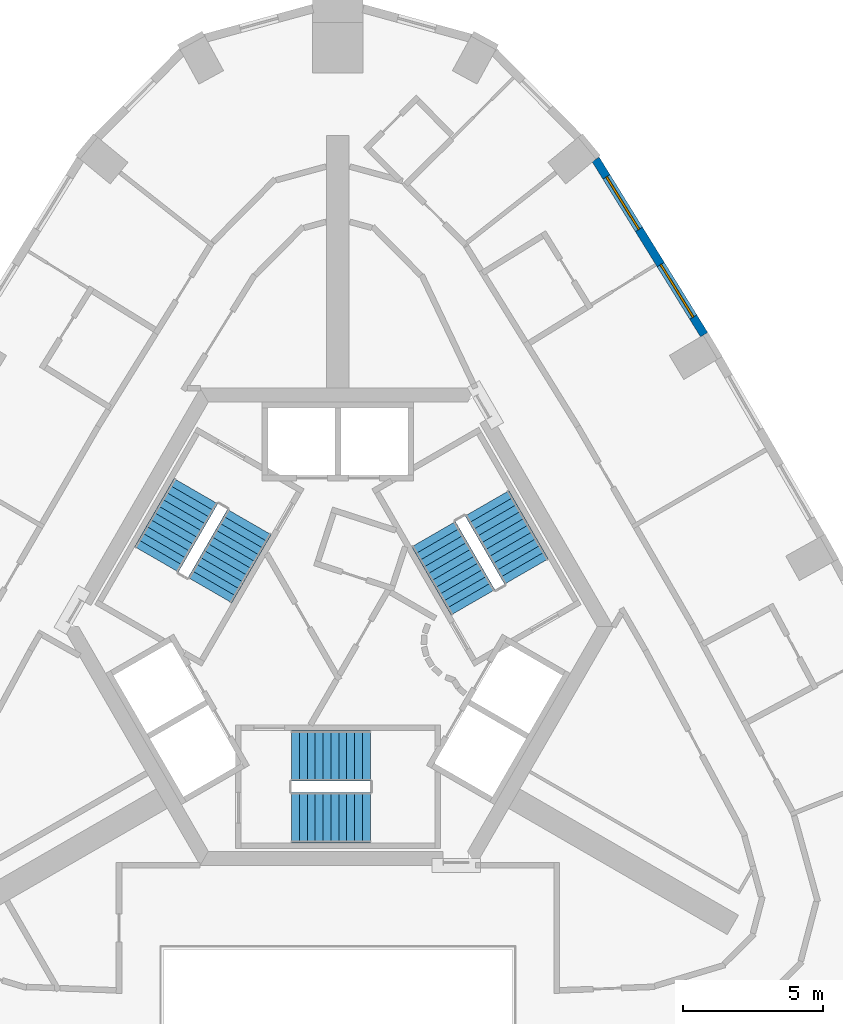
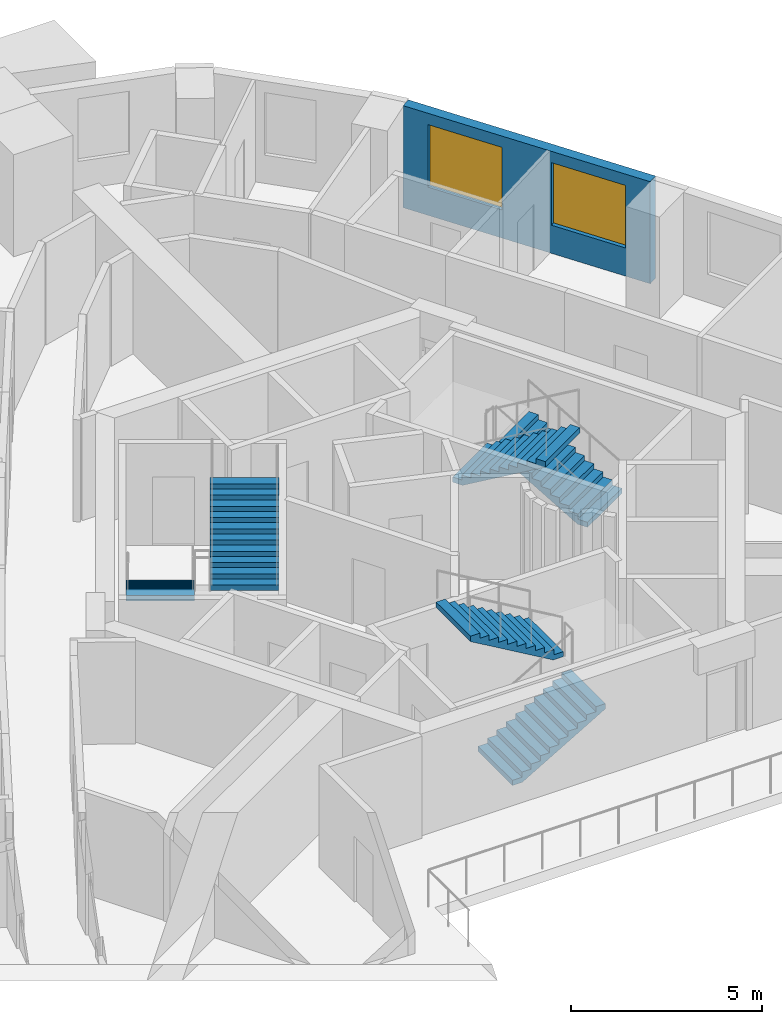
# One storey, part 9 of 11: 6 stair flights, 2 windows, 1 wall, 2 openings, 3 elements without a shape of their own.
"""IFC4 building model written with IfcOpenShell, lengths in metres."""

from ifc_helpers import new_model, si_unit, direction, frame, frame_2d, origin, place, context, subcontext, project, spatial, polyline, rectangle, outline, extrude, material, layer, layer_set, type_object, element, fill, aggregate, save


model = new_model("IFC4")

# Units and contexts
model_context = context("Model", 3, precision=1e-05, world=origin(), true_north=direction((0.0, 1.0)))
body_context = subcontext(model_context, "Body", "Model", "MODEL_VIEW")
ifc_project = project(units=[si_unit("LENGTHUNIT", "METRE"), si_unit("AREAUNIT", "SQUARE_METRE"), si_unit("VOLUMEUNIT", "CUBIC_METRE"), si_unit("PLANEANGLEUNIT", "RADIAN"), si_unit("MASSUNIT", "GRAM", prefix="KILO")], contexts=[model_context])

# Site, building, storey
site_placement = place(None, origin())
site = spatial("IfcSite", under=ifc_project, at=site_placement, CompositionType="ELEMENT")
building_placement = place(site_placement, origin())
building = spatial("IfcBuilding", under=site, at=building_placement, Name="Entoto Arch Interchange Tower", CompositionType="ELEMENT")
storey_placement = place(building_placement, frame((0.0, 0.0, 304.39990234375)))
storey = spatial("IfcBuildingStorey", under=building, at=storey_placement, Name="L71", CompositionType="ELEMENT", Elevation=304.39990234375)

# Wall, openings, windows
ifc_material_1 = material(Name="Welded tuff (ignimbrite) cladding, warm buff", Category="masonry")
ifc_layer = layer(ifc_material_1, 0.300048828125)
ifc_layer_set = layer_set([ifc_layer], Name="Welded tuff (ignimbrite) cladding, warm buff")
wall_type = type_object("IfcWallType", Name="STONE INFILL WALL 300", PredefinedType="STANDARD", material=ifc_layer_set)
wall_placement = place(storey_placement, frame((13.047119140625, 12.906982421875, 0.0), z_axis=(0.0, 0.0, 1.0), x_axis=(-0.526409529565, 0.850231149267, 0.0)))
wall = element("IfcWall", 1, at=wall_placement, inside=storey, type_object=wall_type, Name="Facade wall NE-03 L71", PredefinedType="STANDARD", context=body_context, shape_type="SweptSolid", body=[
    extrude(rectangle(XDim=7.346435546875, YDim=0.300048828125, at=frame_2d((3.67333984375, 0.0))), origin(), (0.0, 0.0, 1.0), 3.260009765625),
])
opening_1_placement = place(wall_placement, frame((0.737060546875, 0.0, 0.89990234375)))
opening_1 = element("IfcOpeningElement", 2, at=opening_1_placement, cuts=wall, Name="Opening WH-A", PredefinedType="OPENING", context=body_context, shape_type="SweptSolid", body=[
    extrude(rectangle(XDim=2.199951171875, YDim=2.0, at=frame_2d((1.10009765625, 1.0))), frame((0.0, 0.16015625, 0.0), z_axis=(0.0, -1.0, 0.0), x_axis=(1.0, 0.0, 0.0)), (0.0, 0.0, 1.0), 0.320068359375),
])
opening_2_placement = place(wall_placement, frame((4.409912109375, 0.0, 0.89990234375)))
opening_2 = element("IfcOpeningElement", 3, at=opening_2_placement, cuts=wall, Name="Opening WH-A", PredefinedType="OPENING", context=body_context, shape_type="SweptSolid", body=[
    extrude(rectangle(XDim=2.199951171875, YDim=2.0, at=frame_2d((1.10009765625, 1.0))), frame((0.0, 0.16015625, 0.0), z_axis=(0.0, -1.0, 0.0), x_axis=(1.0, 0.0, 0.0)), (0.0, 0.0, 1.0), 0.320068359375),
])
ifc_material_2 = material(Name="Clear glass, low-e double glazed", Category="glass")
window_type = type_object("IfcWindowType", Name="WINDOW WH-A 2200x2000", PartitioningType="DOUBLE_PANEL_VERTICAL", PredefinedType="WINDOW", material=ifc_material_2)
window_1_placement = place(opening_1_placement, origin())
window_1 = element("IfcWindow", 4, at=window_1_placement, inside=storey, type_object=window_type, Name="Window WH-A NE-03 L71", OverallHeight=2.0, OverallWidth=2.199951171875, PartitioningType="SINGLE_PANEL", PredefinedType="WINDOW", context=body_context, shape_type="SweptSolid", body=[
    extrude(rectangle(XDim=2.199951171875, YDim=2.0, at=frame_2d((1.10009765625, 1.0))), frame((0.0, 0.030029296875, 0.0), z_axis=(0.0, -1.0, 0.0), x_axis=(1.0, 0.0, 0.0)), (0.0, 0.0, 1.0), 0.06005859375),
])
fill(opening_1, window_1)
window_2_placement = place(opening_2_placement, origin())
window_2 = element("IfcWindow", 5, at=window_2_placement, inside=storey, type_object=window_type, Name="Window WH-A NE-03 L71", OverallHeight=2.0, OverallWidth=2.199951171875, PartitioningType="SINGLE_PANEL", PredefinedType="WINDOW", context=body_context, shape_type="SweptSolid", body=[
    extrude(rectangle(XDim=2.199951171875, YDim=2.0, at=frame_2d((1.10009765625, 1.0))), frame((0.0, 0.030029296875, 0.0), z_axis=(0.0, -1.0, 0.0), x_axis=(1.0, 0.0, 0.0)), (0.0, 0.0, 1.0), 0.06005859375),
])
fill(opening_2, window_2)

# Stair, stair flights
ifc_material_3 = material(Name="Concrete C40/50", Category="concrete")
stair_type = type_object("IfcStairType", Name="EXIT STAIR RC 1800", PredefinedType="HALF_TURN_STAIR", material=ifc_material_3)
stair_1_placement = place(storey_placement, origin())
stair_1 = element("IfcStair", 6, at=stair_1_placement, inside=storey, type_object=stair_type, Name="L71 Exit stair S", PredefinedType="HALF_TURN_STAIR")
stair_flight_type = type_object("IfcStairFlightType", Name="EXIT STAIR FLIGHT RC 1800", PredefinedType="STRAIGHT", material=ifc_material_3)
stair_flight_1_placement = place(storey_placement, frame((-1.64990234375, -4.300048828125, 0.0), z_axis=(0.0, 0.0, 1.0), x_axis=(1.0, 0.0, 0.0)))
stair_flight_1 = element("IfcStairFlight", 7, at=stair_flight_1_placement, type_object=stair_flight_type, Name="ST-S flight 1", NumberOfRisers=11, NumberOfTreads=10, PredefinedType="STRAIGHT", RiserHeight=0.163636364, TreadLength=0.28, context=body_context, shape_type="SweptSolid", body=[
    extrude(outline(polyline([(-0.0029296875, 0.0), (-0.0029296875, 0.16357421875), (0.280029296875, 0.16357421875), (0.280029296875, 0.327392578125), (0.56005859375, 0.327392578125), (0.56005859375, 0.490966796875), (0.840087890625, 0.490966796875), (0.840087890625, 0.654541015625), (1.1201171875, 0.654541015625), (1.1201171875, 0.818115234375), (1.39990234375, 0.818115234375), (1.39990234375, 0.98193359375), (1.679931640625, 0.98193359375), (1.679931640625, 1.1455078125), (1.9599609375, 1.1455078125), (1.9599609375, 1.30908203125), (2.239990234375, 1.30908203125), (2.239990234375, 1.47265625), (2.52001953125, 1.47265625), (2.52001953125, 1.636474609375), (2.800048828125, 1.636474609375), (2.802978515625, 1.636474609375), (2.802978515625, 1.464599609375), (0.297119140625, 0.0), (-0.0029296875, 0.0)])), frame((0.0, 0.89990234375, 0.0), z_axis=(0.0, -1.0, 0.0), x_axis=(1.0, 0.0, 0.0)), (0.0, 0.0, 1.0), 1.800048828125),
])
stair_flight_2_placement = place(storey_placement, frame((1.14990234375, -2.10009765625, 1.800048828125), z_axis=(0.0, 0.0, 1.0), x_axis=(-1.0, 0.0, 0.0)))
stair_flight_2 = element("IfcStairFlight", 8, at=stair_flight_2_placement, type_object=stair_flight_type, Name="ST-S flight 2", NumberOfRisers=11, NumberOfTreads=10, PredefinedType="STRAIGHT", RiserHeight=0.163636364, TreadLength=0.28, context=body_context, shape_type="SweptSolid", body=[
    extrude(outline(polyline([(-0.0029296875, 0.0), (-0.0029296875, 0.16357421875), (0.280029296875, 0.16357421875), (0.280029296875, 0.327392578125), (0.56005859375, 0.327392578125), (0.56005859375, 0.490966796875), (0.840087890625, 0.490966796875), (0.840087890625, 0.654541015625), (1.1201171875, 0.654541015625), (1.1201171875, 0.818115234375), (1.39990234375, 0.818115234375), (1.39990234375, 0.98193359375), (1.679931640625, 0.98193359375), (1.679931640625, 1.1455078125), (1.9599609375, 1.1455078125), (1.9599609375, 1.30908203125), (2.239990234375, 1.30908203125), (2.239990234375, 1.47265625), (2.52001953125, 1.47265625), (2.52001953125, 1.636474609375), (2.800048828125, 1.636474609375), (2.802978515625, 1.636474609375), (2.802978515625, 1.464599609375), (0.297119140625, 0.0), (-0.0029296875, 0.0)])), frame((0.0, 0.89990234375, 0.0), z_axis=(0.0, -1.0, 0.0), x_axis=(1.0, 0.0, 0.0)), (0.0, 0.0, 1.0), 1.800048828125),
])
aggregate(stair_1, [stair_flight_1, stair_flight_2])

stair_2_placement = place(storey_placement, origin())
stair_2 = element("IfcStair", 9, at=stair_2_placement, inside=storey, type_object=stair_type, Name="L71 Exit stair NE", PredefinedType="HALF_TURN_STAIR")
stair_flight_3_placement = place(storey_placement, frame((6.7138671875, 4.470947265625, 0.0), z_axis=(0.0, 0.0, 1.0), x_axis=(-0.5, 0.866025403784, 0.0)))
stair_flight_3 = element("IfcStairFlight", 10, at=stair_flight_3_placement, type_object=stair_flight_type, Name="ST-NE flight 1", NumberOfRisers=11, NumberOfTreads=10, PredefinedType="STRAIGHT", RiserHeight=0.163636364, TreadLength=0.28, context=body_context, shape_type="SweptSolid", body=[
    extrude(outline(polyline([(-0.0029296875, 0.0), (-0.0029296875, 0.16357421875), (0.280029296875, 0.16357421875), (0.280029296875, 0.327392578125), (0.56005859375, 0.327392578125), (0.56005859375, 0.490966796875), (0.840087890625, 0.490966796875), (0.840087890625, 0.654541015625), (1.1201171875, 0.654541015625), (1.1201171875, 0.818115234375), (1.39990234375, 0.818115234375), (1.39990234375, 0.98193359375), (1.679931640625, 0.98193359375), (1.679931640625, 1.1455078125), (1.9599609375, 1.1455078125), (1.9599609375, 1.30908203125), (2.239990234375, 1.30908203125), (2.239990234375, 1.47265625), (2.52001953125, 1.47265625), (2.52001953125, 1.636474609375), (2.800048828125, 1.636474609375), (2.802978515625, 1.636474609375), (2.802978515625, 1.464599609375), (0.297119140625, 0.0), (-0.0029296875, 0.0)])), frame((0.0, 0.89990234375, 0.0), z_axis=(0.0, -1.0, 0.0), x_axis=(1.0, 0.0, 0.0)), (0.0, 0.0, 1.0), 1.800048828125),
])
stair_flight_4_placement = place(storey_placement, frame((3.40869140625, 5.7958984375, 1.800048828125), z_axis=(0.0, 0.0, 1.0), x_axis=(0.5, -0.866025403784, 0.0)))
stair_flight_4 = element("IfcStairFlight", 11, at=stair_flight_4_placement, type_object=stair_flight_type, Name="ST-NE flight 2", NumberOfRisers=11, NumberOfTreads=10, PredefinedType="STRAIGHT", RiserHeight=0.163636364, TreadLength=0.28, context=body_context, shape_type="SweptSolid", body=[
    extrude(outline(polyline([(-0.0029296875, 0.0), (-0.0029296875, 0.16357421875), (0.280029296875, 0.16357421875), (0.280029296875, 0.327392578125), (0.56005859375, 0.327392578125), (0.56005859375, 0.490966796875), (0.840087890625, 0.490966796875), (0.840087890625, 0.654541015625), (1.1201171875, 0.654541015625), (1.1201171875, 0.818115234375), (1.39990234375, 0.818115234375), (1.39990234375, 0.98193359375), (1.679931640625, 0.98193359375), (1.679931640625, 1.1455078125), (1.9599609375, 1.1455078125), (1.9599609375, 1.30908203125), (2.239990234375, 1.30908203125), (2.239990234375, 1.47265625), (2.52001953125, 1.47265625), (2.52001953125, 1.636474609375), (2.800048828125, 1.636474609375), (2.802978515625, 1.636474609375), (2.802978515625, 1.464599609375), (0.297119140625, 0.0), (-0.0029296875, 0.0)])), frame((0.0, 0.89990234375, 0.0), z_axis=(0.0, -1.0, 0.0), x_axis=(1.0, 0.0, 0.0)), (0.0, 0.0, 1.0), 1.800048828125),
])
aggregate(stair_2, [stair_flight_3, stair_flight_4])

stair_3_placement = place(storey_placement, origin())
stair_3 = element("IfcStair", 12, at=stair_3_placement, inside=storey, type_object=stair_type, Name="L71 Exit stair NW", PredefinedType="HALF_TURN_STAIR")
stair_flight_5_placement = place(storey_placement, frame((-5.06396484375, 7.328857421875, 0.0), z_axis=(0.0, 0.0, 1.0), x_axis=(-0.5, -0.866025403784, 0.0)))
stair_flight_5 = element("IfcStairFlight", 13, at=stair_flight_5_placement, type_object=stair_flight_type, Name="ST-NW flight 1", NumberOfRisers=11, NumberOfTreads=10, PredefinedType="STRAIGHT", RiserHeight=0.163636364, TreadLength=0.28, context=body_context, shape_type="SweptSolid", body=[
    extrude(outline(polyline([(-0.0029296875, 0.0), (-0.0029296875, 0.16357421875), (0.280029296875, 0.16357421875), (0.280029296875, 0.327392578125), (0.56005859375, 0.327392578125), (0.56005859375, 0.490966796875), (0.840087890625, 0.490966796875), (0.840087890625, 0.654541015625), (1.1201171875, 0.654541015625), (1.1201171875, 0.818115234375), (1.39990234375, 0.818115234375), (1.39990234375, 0.98193359375), (1.679931640625, 0.98193359375), (1.679931640625, 1.1455078125), (1.9599609375, 1.1455078125), (1.9599609375, 1.30908203125), (2.239990234375, 1.30908203125), (2.239990234375, 1.47265625), (2.52001953125, 1.47265625), (2.52001953125, 1.636474609375), (2.800048828125, 1.636474609375), (2.802978515625, 1.636474609375), (2.802978515625, 1.464599609375), (0.297119140625, 0.0), (-0.0029296875, 0.0)])), frame((0.0, 0.89990234375, 0.0), z_axis=(0.0, -1.0, 0.0), x_axis=(1.0, 0.0, 0.0)), (0.0, 0.0, 1.0), 1.800048828125),
])
stair_flight_6_placement = place(storey_placement, frame((-4.558837890625, 3.803955078125, 1.800048828125), z_axis=(0.0, 0.0, 1.0), x_axis=(0.5, 0.866025403784, 0.0)))
stair_flight_6 = element("IfcStairFlight", 14, at=stair_flight_6_placement, type_object=stair_flight_type, Name="ST-NW flight 2", NumberOfRisers=11, NumberOfTreads=10, PredefinedType="STRAIGHT", RiserHeight=0.163636364, TreadLength=0.28, context=body_context, shape_type="SweptSolid", body=[
    extrude(outline(polyline([(-0.0029296875, 0.0), (-0.0029296875, 0.16357421875), (0.280029296875, 0.16357421875), (0.280029296875, 0.327392578125), (0.56005859375, 0.327392578125), (0.56005859375, 0.490966796875), (0.840087890625, 0.490966796875), (0.840087890625, 0.654541015625), (1.1201171875, 0.654541015625), (1.1201171875, 0.818115234375), (1.39990234375, 0.818115234375), (1.39990234375, 0.98193359375), (1.679931640625, 0.98193359375), (1.679931640625, 1.1455078125), (1.9599609375, 1.1455078125), (1.9599609375, 1.30908203125), (2.239990234375, 1.30908203125), (2.239990234375, 1.47265625), (2.52001953125, 1.47265625), (2.52001953125, 1.636474609375), (2.800048828125, 1.636474609375), (2.802978515625, 1.636474609375), (2.802978515625, 1.464599609375), (0.297119140625, 0.0), (-0.0029296875, 0.0)])), frame((0.0, 0.89990234375, 0.0), z_axis=(0.0, -1.0, 0.0), x_axis=(1.0, 0.0, 0.0)), (0.0, 0.0, 1.0), 1.800048828125),
])
aggregate(stair_3, [stair_flight_5, stair_flight_6])

save(model, "model.ifc")
